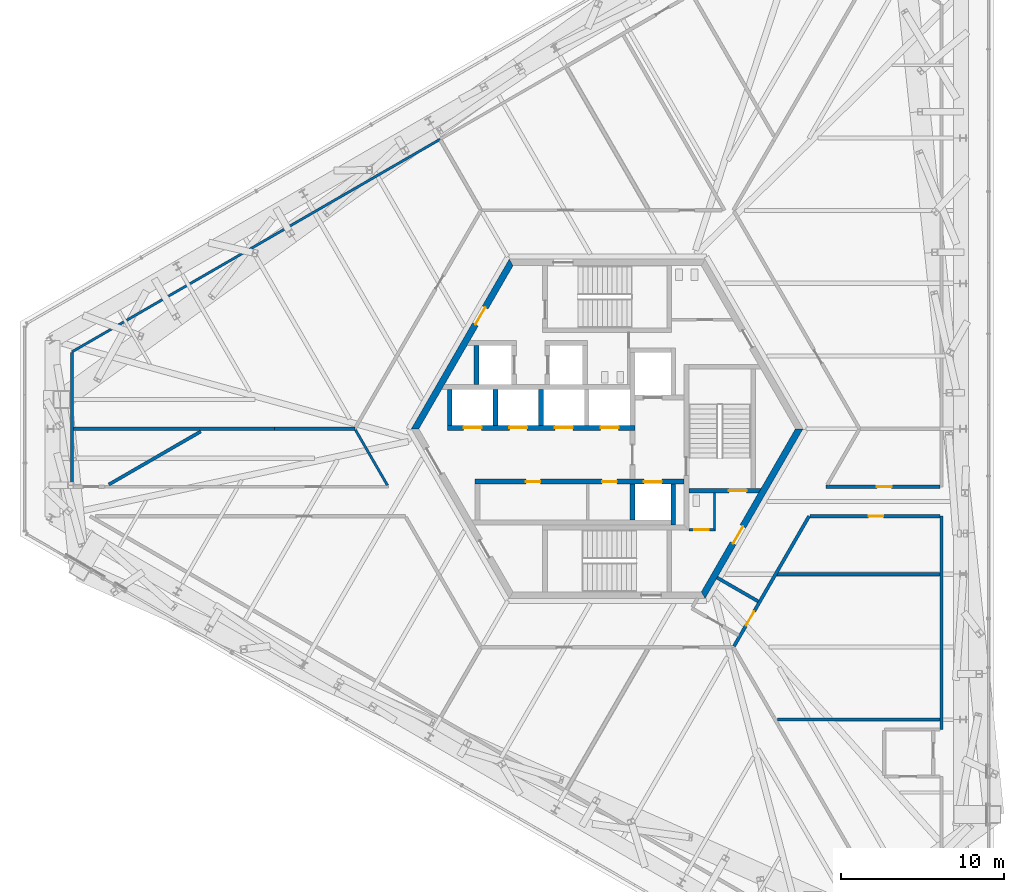
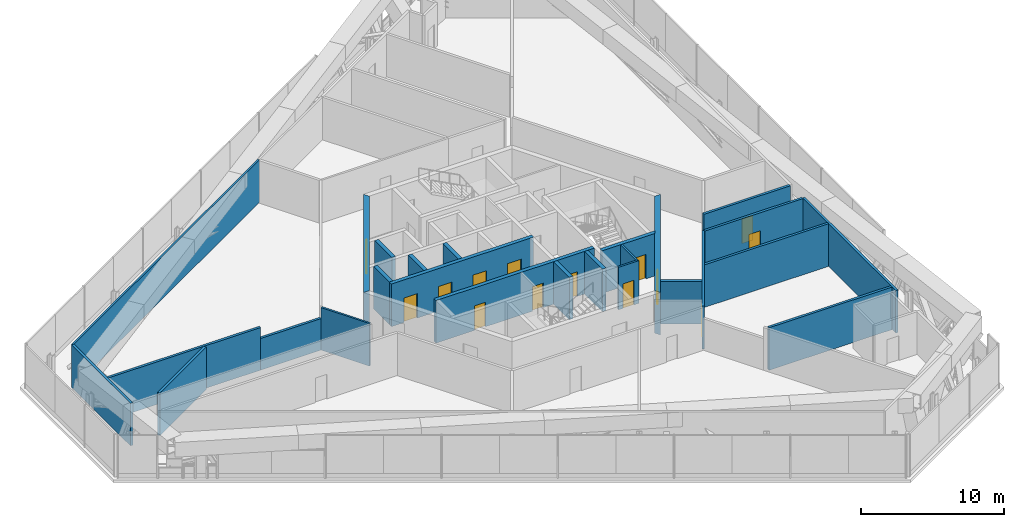
# One storey, part 15 of 23: 26 walls, 14 doors, 14 openings.
"""IFC4 building model written with IfcOpenShell, lengths in metres."""

from ifc_helpers import new_model, si_unit, direction, frame, frame_2d, origin, place, context, subcontext, project, spatial, polyline, rectangle, outline, extrude, source, transform, mapped, material, layer, layer_set, type_object, element, fill, save


model = new_model("IFC4")

# Units and contexts
model_context = context("Model", 3, precision=1e-05, world=origin(), true_north=direction((0.0, 1.0)))
body_context = subcontext(model_context, "Body", "Model", "MODEL_VIEW")
ifc_project = project(units=[si_unit("LENGTHUNIT", "METRE"), si_unit("AREAUNIT", "SQUARE_METRE"), si_unit("VOLUMEUNIT", "CUBIC_METRE"), si_unit("PLANEANGLEUNIT", "RADIAN"), si_unit("MASSUNIT", "GRAM", prefix="KILO")], contexts=[model_context])

# Site, building, storey
site_placement = place(None, origin())
site = spatial("IfcSite", under=ifc_project, at=site_placement, CompositionType="ELEMENT")
building_placement = place(site_placement, origin())
building = spatial("IfcBuilding", under=site, at=building_placement, Name="Triune Harvest Tower", CompositionType="ELEMENT")
storey_placement = place(building_placement, frame((0.0, 0.0, 54.699951171875)))
storey = spatial("IfcBuildingStorey", under=building, at=storey_placement, Name="L12", CompositionType="ELEMENT", Elevation=54.699951171875)

# Walls
ifc_material_1 = material(Name="Gypsum board on steel studs", Category="steel")
ifc_layer_1 = layer(ifc_material_1, 0.14990234375)
ifc_layer_set_1 = layer_set([ifc_layer_1], Name="Gypsum board on steel studs")
wall_type_1 = type_object("IfcWallType", Name="Fire Partition 150 mm", PredefinedType="PARTITIONING", material=ifc_layer_set_1)
wall_1_placement = place(storey_placement, frame((-15.42919921875, -0.060546875, 0.0), z_axis=(0.0, 0.0, 1.0), x_axis=(0.500025760003, -0.866010530729, 0.0)))
element("IfcWall", 1, at=wall_1_placement, inside=storey, type_object=wall_type_1, Name="Partition L12 001", PredefinedType="PARTITIONING", context=body_context, shape_type="SweptSolid", body=[
    extrude(rectangle(XDim=3.925048828125, YDim=0.14990234375, at=frame_2d((1.96240234375, 0.0))), origin(), (0.0, 0.0, 1.0), 3.64013671875),
])
wall_2_placement = place(storey_placement, frame((-32.79052734375, 4.71826171875, 0.0), z_axis=(0.0, 0.0, 1.0), x_axis=(0.86602431224, 0.500001890606, 0.0)))
element("IfcWall", 2, at=wall_2_placement, inside=storey, type_object=wall_type_1, Name="Partition L12 032", PredefinedType="PARTITIONING", context=body_context, shape_type="SweptSolid", body=[
    extrude(rectangle(XDim=26.04150390625, YDim=0.14990234375, at=frame_2d((13.020751953125, 0.0))), origin(), (0.0, 0.0, 1.0), 3.64013671875),
])
ifc_material_2 = material(Name="Gypsum board on steel studs", Category="steel")
ifc_layer_2 = layer(ifc_material_2, 0.199951171875)
ifc_layer_set_2 = layer_set([ifc_layer_2], Name="Gypsum board on steel studs")
wall_type_2 = type_object("IfcWallType", Name="Fire Wall 200 mm", PredefinedType="PARTITIONING", material=ifc_layer_set_2)
wall_3_placement = place(storey_placement, frame((10.31982421875, -8.909912109375, 0.0), z_axis=(0.0, 0.0, 1.0), x_axis=(1.0, 0.0, 0.0)))
element("IfcWall", 3, at=wall_3_placement, inside=storey, type_object=wall_type_2, Name="Partition L12 019", PredefinedType="PARTITIONING", context=body_context, shape_type="SweptSolid", body=[
    extrude(rectangle(XDim=10.08154296875, YDim=0.199951171875, at=frame_2d((5.040771484375, 0.0))), origin(), (0.0, 0.0, 1.0), 3.64013671875),
])

# Wall, opening, door
wall_4_placement = place(storey_placement, frame((12.4423828125, -5.35498046875, 0.0), z_axis=(0.0, 0.0, 1.0), x_axis=(1.0, 0.0, 0.0)))
wall_4 = element("IfcWall", 4, at=wall_4_placement, inside=storey, type_object=wall_type_2, Name="Partition L12 021", PredefinedType="PARTITIONING", context=body_context, shape_type="SweptSolid", body=[
    extrude(rectangle(XDim=7.958984375, YDim=0.199951171875, at=frame_2d((3.9794921875, 0.0))), origin(), (0.0, 0.0, 1.0), 3.64013671875),
])
opening_1_placement = place(wall_4_placement, frame((3.580078125, 0.0, 0.0)))
opening_1 = element("IfcOpeningElement", 5, at=opening_1_placement, cuts=wall_4, Name="Opening L12-003", PredefinedType="OPENING", context=body_context, shape_type="SweptSolid", body=[
    extrude(rectangle(XDim=0.89990234375, YDim=2.10009765625, at=frame_2d((0.449951171875, 1.050048828125))), frame((0.0, 0.10986328125, 0.0), z_axis=(0.0, -1.0, 0.0), x_axis=(1.0, 0.0, 0.0)), (0.0, 0.0, 1.0), 0.219970703125),
])
ifc_material_3 = material(Name="Timber and steel door set", Category="steel")
door_type_1 = type_object("IfcDoorType", Name="Single leaf door FD60 left hand 900 x 2100", OperationType="SINGLE_SWING_LEFT", PredefinedType="DOOR", material=ifc_material_3)
door_1_placement = place(opening_1_placement, origin())
door_1 = element("IfcDoor", 6, at=door_1_placement, inside=storey, type_object=door_type_1, Name="Door L12-003 Pump Room 12.03", OperationType="SINGLE_SWING_LEFT", OverallHeight=2.10009765625, OverallWidth=0.89990234375, PredefinedType="DOOR", context=body_context, shape_type="SweptSolid", body=[
    extrude(rectangle(XDim=0.89990234375, YDim=2.10009765625, at=frame_2d((0.449951171875, 1.050048828125))), frame((0.0, 0.02490234375, 0.0), z_axis=(0.0, -1.0, 0.0), x_axis=(1.0, 0.0, 0.0)), (0.0, 0.0, 1.0), 0.050048828125),
])
fill(opening_1, door_1)

wall_5_placement = place(storey_placement, frame((13.41162109375, -3.554931640625, 0.0), z_axis=(0.0, 0.0, 1.0), x_axis=(1.0, 0.0, 0.0)))
wall_5 = element("IfcWall", 7, at=wall_5_placement, inside=storey, type_object=wall_type_2, Name="Partition L12 024", PredefinedType="PARTITIONING", context=body_context, shape_type="SweptSolid", body=[
    extrude(rectangle(XDim=6.98974609375, YDim=0.199951171875, at=frame_2d((3.494873046875, 0.0))), origin(), (0.0, 0.0, 1.0), 3.64013671875),
])
opening_2_placement = place(wall_5_placement, frame((3.119873046875, 0.0, 0.0)))
opening_2 = element("IfcOpeningElement", 8, at=opening_2_placement, cuts=wall_5, Name="Opening L12-004", PredefinedType="OPENING", context=body_context, shape_type="SweptSolid", body=[
    extrude(rectangle(XDim=0.89990234375, YDim=2.10009765625, at=frame_2d((0.449951171875, 1.050048828125))), frame((0.0, 0.10986328125, 0.0), z_axis=(0.0, -1.0, 0.0), x_axis=(1.0, 0.0, 0.0)), (0.0, 0.0, 1.0), 0.219970703125),
])
ifc_material_4 = material(Name="Timber and steel door set", Category="steel")
door_type_2 = type_object("IfcDoorType", Name="Single leaf door FD60 right hand 900 x 2100", OperationType="SINGLE_SWING_RIGHT", PredefinedType="DOOR", material=ifc_material_4)
door_2_placement = place(opening_2_placement, origin())
door_2 = element("IfcDoor", 9, at=door_2_placement, inside=storey, type_object=door_type_2, Name="Door L12-004 Switch Room 12.04", OperationType="SINGLE_SWING_RIGHT", OverallHeight=2.10009765625, OverallWidth=0.89990234375, PredefinedType="DOOR", context=body_context, shape_type="SweptSolid", body=[
    extrude(rectangle(XDim=0.89990234375, YDim=2.10009765625, at=frame_2d((0.449951171875, 1.050048828125))), frame((0.0, 0.02490234375, 0.0), z_axis=(0.0, -1.0, 0.0), x_axis=(1.0, 0.0, 0.0)), (0.0, 0.0, 1.0), 0.050048828125),
])
fill(opening_2, door_2)

# Walls
wall_6_placement = place(storey_placement, frame((-32.79052734375, 0.0, 0.0), z_axis=(0.0, 0.0, 1.0), x_axis=(1.0, 0.0, 0.0)))
element("IfcWall", 10, at=wall_6_placement, inside=storey, type_object=wall_type_2, Name="Partition L12 025", PredefinedType="PARTITIONING", context=body_context, shape_type="SweptSolid", body=[
    extrude(rectangle(XDim=12.4189453125, YDim=0.199951171875, at=frame_2d((6.20947265625, 0.0))), origin(), (0.0, 0.0, 1.0), 3.64013671875),
])
wall_7_placement = place(storey_placement, frame((-20.37158203125, 0.0, 0.0), z_axis=(0.0, 0.0, 1.0), x_axis=(1.0, 0.0, 0.0)))
element("IfcWall", 11, at=wall_7_placement, inside=storey, type_object=wall_type_2, Name="Partition L12 025a", PredefinedType="PARTITIONING", context=body_context, shape_type="SweptSolid", body=[
    extrude(rectangle(XDim=4.907470703125, YDim=0.199951171875, at=frame_2d((2.45361328125, 0.0))), origin(), (0.0, 0.0, 1.0), 2.69775390625),
])
wall_8_placement = place(storey_placement, frame((-30.533203125, -3.4150390625, 0.0), z_axis=(0.0, 0.0, 1.0), x_axis=(0.866024837091, 0.50000098154, 0.0)))
element("IfcWall", 12, at=wall_8_placement, inside=storey, type_object=wall_type_2, Name="Partition L12 030", PredefinedType="PARTITIONING", context=body_context, shape_type="SweptSolid", body=[
    extrude(rectangle(XDim=6.5, YDim=0.199951171875, at=frame_2d((3.25, 0.0))), origin(), (0.0, 0.0, 1.0), 3.64013671875),
])
wall_9_placement = place(storey_placement, frame((20.4814453125, -18.419921875, 0.0), z_axis=(0.0, 0.0, 1.0), x_axis=(0.0, 1.0, 0.0)))
element("IfcWall", 13, at=wall_9_placement, inside=storey, type_object=wall_type_2, Name="Partition L12 044", PredefinedType="PARTITIONING", context=body_context, shape_type="SweptSolid", body=[
    extrude(rectangle(XDim=13.06494140625, YDim=0.199951171875, at=frame_2d((6.532470703125, 0.0))), origin(), (0.0, 0.0, 1.0), 3.64013671875),
])
wall_10_placement = place(storey_placement, frame((-32.79052734375, -3.554931640625, 0.0), z_axis=(0.0, 0.0, 1.0), x_axis=(0.0, 1.0, 0.0)))
element("IfcWall", 14, at=wall_10_placement, inside=storey, type_object=wall_type_2, Name="Partition L12 048", PredefinedType="PARTITIONING", context=body_context, shape_type="SweptSolid", body=[
    extrude(rectangle(XDim=8.233154296875, YDim=0.199951171875, at=frame_2d((4.11669921875, 0.0))), origin(), (0.0, 0.0, 1.0), 3.64013671875),
])

# Wall, opening, door
ifc_material_5 = material(Name="Concrete 70 MPa", Category="concrete")
ifc_layer_3 = layer(ifc_material_5, 0.39990234375)
ifc_layer_set_3 = layer_set([ifc_layer_3], Name="Concrete 70 MPa")
wall_type_3 = type_object("IfcWallType", Name="Core wall 400", PredefinedType="SHEAR", material=ifc_layer_set_3)
shared_shape_1 = source(origin(), body_context, "Body", "SweptSolid", [
    extrude(outline(polyline([(-0.115478515625, -0.199951171875), (11.884521484375, -0.199951171875), (11.653564453125, 0.199951171875), (0.115478515625, 0.199951171875), (-0.115478515625, -0.199951171875)])), origin(), (0.0, 0.0, 1.0), 3.64013671875),
])
wall_11_placement = place(storey_placement, frame((-5.884521484375, 10.1923828125, 0.0), z_axis=(0.0, 0.0, 1.0), x_axis=(-0.499996592174, -0.866027371285, 0.0)))
wall_11 = element("IfcWall", 15, at=wall_11_placement, inside=storey, type_object=wall_type_3, Name="Hexagon 2 wall", PredefinedType="SHEAR", context=body_context, shape_type="MappedRepresentation", body=[
    mapped(shared_shape_1, transform((0.0, 0.0, 0.0), scale=1.0)),
])
opening_3_placement = place(wall_11_placement, frame((3.1845703125, 0.0, 0.0)))
opening_3 = element("IfcOpeningElement", 16, at=opening_3_placement, cuts=wall_11, Name="Opening CD-SVP", PredefinedType="OPENING", context=body_context, shape_type="SweptSolid", body=[
    extrude(rectangle(XDim=1.199951171875, YDim=2.10009765625, at=frame_2d((0.60009765625, 1.050048828125))), frame((0.0, 0.2099609375, 0.0), z_axis=(0.0, -1.0, 0.0), x_axis=(1.0, 0.0, 0.0)), (0.0, 0.0, 1.0), 0.419921875),
])
ifc_material_6 = material(Name="Steel S235", Category="steel")
door_type_3 = type_object("IfcDoorType", Name="Service door 1200 FD120", OperationType="SINGLE_SWING_LEFT", PredefinedType="DOOR", material=ifc_material_6)
door_3_placement = place(opening_3_placement, frame((1.199951171875, 0.0, 0.0), z_axis=(0.0, 0.0, 1.0), x_axis=(-1.0, 0.0, 0.0)))
door_3 = element("IfcDoor", 17, at=door_3_placement, inside=storey, type_object=door_type_3, Name="Door CD-SVP", OperationType="SINGLE_SWING_RIGHT", OverallHeight=2.10009765625, OverallWidth=1.199951171875, PredefinedType="DOOR", context=body_context, shape_type="SweptSolid", body=[
    extrude(rectangle(XDim=1.199951171875, YDim=2.10009765625, at=frame_2d((0.60009765625, 1.050048828125))), frame((0.0, 0.02490234375, 0.0), z_axis=(0.0, -1.0, 0.0), x_axis=(1.0, 0.0, 0.0)), (0.0, 0.0, 1.0), 0.050048828125),
])
fill(opening_3, door_3)

wall_12_placement = place(storey_placement, frame((5.884521484375, -10.1923828125, 0.0), z_axis=(0.0, 0.0, 1.0), x_axis=(0.499996592174, 0.866027371285, 0.0)))
wall_12 = element("IfcWall", 18, at=wall_12_placement, inside=storey, type_object=wall_type_3, Name="Hexagon 5 wall", PredefinedType="SHEAR", context=body_context, shape_type="MappedRepresentation", body=[
    mapped(shared_shape_1, transform((0.0, 0.0, 0.0), scale=1.0)),
])
opening_4_placement = place(wall_12_placement, frame((3.66455078125, 0.0, 0.0)))
opening_4 = element("IfcOpeningElement", 19, at=opening_4_placement, cuts=wall_12, Name="Opening CD-DP", PredefinedType="OPENING", context=body_context, shape_type="SweptSolid", body=[
    extrude(rectangle(XDim=1.199951171875, YDim=2.10009765625, at=frame_2d((0.60009765625, 1.050048828125))), frame((0.0, 0.2099609375, 0.0), z_axis=(0.0, -1.0, 0.0), x_axis=(1.0, 0.0, 0.0)), (0.0, 0.0, 1.0), 0.419921875),
])
ifc_material_7 = material(Name="Steel S235", Category="steel")
door_type_4 = type_object("IfcDoorType", Name="Stair door 1200 FD120", OperationType="SINGLE_SWING_LEFT", PredefinedType="DOOR", material=ifc_material_7)
door_4_placement = place(opening_4_placement, frame((1.199951171875, 0.0, 0.0), z_axis=(0.0, 0.0, 1.0), x_axis=(-1.0, 0.0, 0.0)))
door_4 = element("IfcDoor", 20, at=door_4_placement, inside=storey, type_object=door_type_4, Name="Door CD-DP", OperationType="SINGLE_SWING_RIGHT", OverallHeight=2.10009765625, OverallWidth=1.199951171875, PredefinedType="DOOR", context=body_context, shape_type="SweptSolid", body=[
    extrude(rectangle(XDim=1.199951171875, YDim=2.10009765625, at=frame_2d((0.60009765625, 1.050048828125))), frame((0.0, 0.02490234375, 0.0), z_axis=(0.0, -1.0, 0.0), x_axis=(1.0, 0.0, 0.0)), (0.0, 0.0, 1.0), 0.050048828125),
])
fill(opening_4, door_4)

# Wall, openings, doors
ifc_material_8 = material(Name="Concrete 70 MPa", Category="concrete")
ifc_layer_4 = layer(ifc_material_8, 0.300048828125)
ifc_layer_set_4 = layer_set([ifc_layer_4], Name="Concrete 70 MPa")
wall_type_4 = type_object("IfcWallType", Name="Core wall 300", PredefinedType="SHEAR", material=ifc_layer_set_4)
shared_shape_2 = source(origin(), body_context, "Body", "SweptSolid", [
    extrude(rectangle(XDim=11.5, YDim=0.300048828125, at=frame_2d((5.75, 0.0))), origin(), (0.0, 0.0, 1.0), 3.64013671875),
])
wall_13_placement = place(storey_placement, frame((-9.800048828125, 0.06005859375, 0.0), z_axis=(0.0, 0.0, 1.0), x_axis=(1.0, 0.0, 0.0)))
wall_13 = element("IfcWall", 21, at=wall_13_placement, inside=storey, type_object=wall_type_4, Name="North front wall", PredefinedType="SHEAR", context=body_context, shape_type="MappedRepresentation", body=[
    mapped(shared_shape_2, transform((0.0, 0.0, 0.0), scale=1.0)),
])
opening_5_placement = place(wall_13_placement, frame((1.0, 0.0, 0.0)))
opening_5 = element("IfcOpeningElement", 22, at=opening_5_placement, cuts=wall_13, Name="Opening LD-LR1-12", PredefinedType="OPENING", context=body_context, shape_type="SweptSolid", body=[
    extrude(rectangle(XDim=1.10009765625, YDim=2.10009765625, at=frame_2d((0.550048828125, 1.050048828125))), frame((0.0, 0.16015625, 0.0), z_axis=(0.0, -1.0, 0.0), x_axis=(1.0, 0.0, 0.0)), (0.0, 0.0, 1.0), 0.320068359375),
])
opening_6_placement = place(wall_13_placement, frame((3.800048828125, 0.0, 0.0)))
opening_6 = element("IfcOpeningElement", 23, at=opening_6_placement, cuts=wall_13, Name="Opening LD-LR2-12", PredefinedType="OPENING", context=body_context, shape_type="SweptSolid", body=[
    extrude(rectangle(XDim=1.10009765625, YDim=2.10009765625, at=frame_2d((0.550048828125, 1.050048828125))), frame((0.0, 0.16015625, 0.0), z_axis=(0.0, -1.0, 0.0), x_axis=(1.0, 0.0, 0.0)), (0.0, 0.0, 1.0), 0.320068359375),
])
opening_7_placement = place(wall_13_placement, frame((6.60009765625, 0.0, 0.0)))
opening_7 = element("IfcOpeningElement", 24, at=opening_7_placement, cuts=wall_13, Name="Opening LD-LR3-12", PredefinedType="OPENING", context=body_context, shape_type="SweptSolid", body=[
    extrude(rectangle(XDim=1.10009765625, YDim=2.10009765625, at=frame_2d((0.550048828125, 1.050048828125))), frame((0.0, 0.16015625, 0.0), z_axis=(0.0, -1.0, 0.0), x_axis=(1.0, 0.0, 0.0)), (0.0, 0.0, 1.0), 0.320068359375),
])
opening_8_placement = place(wall_13_placement, frame((9.39990234375, 0.0, 0.0)))
opening_8 = element("IfcOpeningElement", 25, at=opening_8_placement, cuts=wall_13, Name="Opening LD-LR4-12", PredefinedType="OPENING", context=body_context, shape_type="SweptSolid", body=[
    extrude(rectangle(XDim=1.10009765625, YDim=2.10009765625, at=frame_2d((0.550048828125, 1.050048828125))), frame((0.0, 0.16015625, 0.0), z_axis=(0.0, -1.0, 0.0), x_axis=(1.0, 0.0, 0.0)), (0.0, 0.0, 1.0), 0.320068359375),
])
ifc_material_9 = material(Name="Stainless steel AISI 304", Category="steel")
door_type_5 = type_object("IfcDoorType", Name="Landing door 1100 x 2100", OperationType="DOUBLE_DOOR_SLIDING", PredefinedType="DOOR", material=ifc_material_9)
door_5_placement = place(opening_5_placement, origin())
door_5 = element("IfcDoor", 26, at=door_5_placement, inside=storey, type_object=door_type_5, Name="Door LD-LR1-12", OperationType="DOUBLE_DOOR_SLIDING", OverallHeight=2.10009765625, OverallWidth=1.10009765625, PredefinedType="DOOR", context=body_context, shape_type="SweptSolid", body=[
    extrude(rectangle(XDim=1.10009765625, YDim=2.10009765625, at=frame_2d((0.550048828125, 1.050048828125))), frame((0.0, 0.02490234375, 0.0), z_axis=(0.0, -1.0, 0.0), x_axis=(1.0, 0.0, 0.0)), (0.0, 0.0, 1.0), 0.050048828125),
])
fill(opening_5, door_5)
door_6_placement = place(opening_6_placement, origin())
door_6 = element("IfcDoor", 27, at=door_6_placement, inside=storey, type_object=door_type_5, Name="Door LD-LR2-12", OperationType="DOUBLE_DOOR_SLIDING", OverallHeight=2.10009765625, OverallWidth=1.10009765625, PredefinedType="DOOR", context=body_context, shape_type="SweptSolid", body=[
    extrude(rectangle(XDim=1.10009765625, YDim=2.10009765625, at=frame_2d((0.550048828125, 1.050048828125))), frame((0.0, 0.02490234375, 0.0), z_axis=(0.0, -1.0, 0.0), x_axis=(1.0, 0.0, 0.0)), (0.0, 0.0, 1.0), 0.050048828125),
])
fill(opening_6, door_6)
door_7_placement = place(opening_7_placement, origin())
door_7 = element("IfcDoor", 28, at=door_7_placement, inside=storey, type_object=door_type_5, Name="Door LD-LR3-12", OperationType="DOUBLE_DOOR_SLIDING", OverallHeight=2.10009765625, OverallWidth=1.10009765625, PredefinedType="DOOR", context=body_context, shape_type="SweptSolid", body=[
    extrude(rectangle(XDim=1.10009765625, YDim=2.10009765625, at=frame_2d((0.550048828125, 1.050048828125))), frame((0.0, 0.02490234375, 0.0), z_axis=(0.0, -1.0, 0.0), x_axis=(1.0, 0.0, 0.0)), (0.0, 0.0, 1.0), 0.050048828125),
])
fill(opening_7, door_7)
door_8_placement = place(opening_8_placement, origin())
door_8 = element("IfcDoor", 29, at=door_8_placement, inside=storey, type_object=door_type_5, Name="Door LD-LR4-12", OperationType="DOUBLE_DOOR_SLIDING", OverallHeight=2.10009765625, OverallWidth=1.10009765625, PredefinedType="DOOR", context=body_context, shape_type="SweptSolid", body=[
    extrude(rectangle(XDim=1.10009765625, YDim=2.10009765625, at=frame_2d((0.550048828125, 1.050048828125))), frame((0.0, 0.02490234375, 0.0), z_axis=(0.0, -1.0, 0.0), x_axis=(1.0, 0.0, 0.0)), (0.0, 0.0, 1.0), 0.050048828125),
])
fill(opening_8, door_8)

# Wall
shared_shape_3 = source(origin(), body_context, "Body", "SweptSolid", [
    extrude(rectangle(XDim=2.5, YDim=0.300048828125, at=frame_2d((1.25, 0.0))), origin(), (0.0, 0.0, 1.0), 3.64013671875),
])
wall_14_placement = place(storey_placement, frame((4.050048828125, -5.889892578125, 0.0), z_axis=(0.0, 0.0, 1.0), x_axis=(0.0, 1.0, 0.0)))
element("IfcWall", 30, at=wall_14_placement, inside=storey, type_object=wall_type_4, Name="Ff2 east wall", PredefinedType="SHEAR", context=body_context, shape_type="MappedRepresentation", body=[
    mapped(shared_shape_3, transform((0.0, 0.0, 0.0), scale=1.0)),
])

# Wall, openings, doors
shared_shape_4 = source(origin(), body_context, "Body", "SweptSolid", [
    extrude(rectangle(XDim=12.800048828125, YDim=0.300048828125, at=frame_2d((6.39990234375, 0.0))), origin(), (0.0, 0.0, 1.0), 3.64013671875),
])
wall_15_placement = place(storey_placement, frame((-8.10009765625, -3.239990234375, 0.0), z_axis=(0.0, 0.0, 1.0), x_axis=(1.0, 0.0, 0.0)))
wall_15 = element("IfcWall", 31, at=wall_15_placement, inside=storey, type_object=wall_type_4, Name="South front wall", PredefinedType="SHEAR", context=body_context, shape_type="MappedRepresentation", body=[
    mapped(shared_shape_4, transform((0.0, 0.0, 0.0), scale=1.0)),
])
opening_9_placement = place(wall_15_placement, frame((3.112548828125, 0.0, 0.0)))
opening_9 = element("IfcOpeningElement", 32, at=opening_9_placement, cuts=wall_15, Name="Opening CD-RS1", PredefinedType="OPENING", context=body_context, shape_type="SweptSolid", body=[
    extrude(rectangle(XDim=0.89990234375, YDim=2.10009765625, at=frame_2d((0.449951171875, 1.050048828125))), frame((0.0, 0.16015625, 0.0), z_axis=(0.0, -1.0, 0.0), x_axis=(1.0, 0.0, 0.0)), (0.0, 0.0, 1.0), 0.320068359375),
])
opening_10_placement = place(wall_15_placement, frame((7.78759765625, 0.0, 0.0)))
opening_10 = element("IfcOpeningElement", 33, at=opening_10_placement, cuts=wall_15, Name="Opening CD-RS2", PredefinedType="OPENING", context=body_context, shape_type="SweptSolid", body=[
    extrude(rectangle(XDim=0.89990234375, YDim=2.10009765625, at=frame_2d((0.449951171875, 1.050048828125))), frame((0.0, 0.16015625, 0.0), z_axis=(0.0, -1.0, 0.0), x_axis=(1.0, 0.0, 0.0)), (0.0, 0.0, 1.0), 0.320068359375),
])
opening_11_placement = place(wall_15_placement, frame((10.35009765625, 0.0, 0.0)))
opening_11 = element("IfcOpeningElement", 34, at=opening_11_placement, cuts=wall_15, Name="Opening LD-FF2-12", PredefinedType="OPENING", context=body_context, shape_type="SweptSolid", body=[
    extrude(rectangle(XDim=1.10009765625, YDim=2.10009765625, at=frame_2d((0.550048828125, 1.050048828125))), frame((0.0, 0.16015625, 0.0), z_axis=(0.0, -1.0, 0.0), x_axis=(1.0, 0.0, 0.0)), (0.0, 0.0, 1.0), 0.320068359375),
])
door_9_placement = place(opening_11_placement, origin())
door_9 = element("IfcDoor", 35, at=door_9_placement, inside=storey, type_object=door_type_5, Name="Door LD-FF2-12", OperationType="DOUBLE_DOOR_SLIDING", OverallHeight=2.10009765625, OverallWidth=1.10009765625, PredefinedType="DOOR", context=body_context, shape_type="SweptSolid", body=[
    extrude(rectangle(XDim=1.10009765625, YDim=2.10009765625, at=frame_2d((0.550048828125, 1.050048828125))), frame((0.0, 0.02490234375, 0.0), z_axis=(0.0, -1.0, 0.0), x_axis=(1.0, 0.0, 0.0)), (0.0, 0.0, 1.0), 0.050048828125),
])
fill(opening_11, door_9)
ifc_material_10 = material(Name="Steel S235", Category="steel")
door_type_6 = type_object("IfcDoorType", Name="Riser door 900 FD120", OperationType="SINGLE_SWING_LEFT", PredefinedType="DOOR", material=ifc_material_10)
door_10_placement = place(opening_9_placement, origin())
door_10 = element("IfcDoor", 36, at=door_10_placement, inside=storey, type_object=door_type_6, Name="Door CD-RS1", OperationType="SINGLE_SWING_LEFT", OverallHeight=2.10009765625, OverallWidth=0.89990234375, PredefinedType="DOOR", context=body_context, shape_type="SweptSolid", body=[
    extrude(rectangle(XDim=0.89990234375, YDim=2.10009765625, at=frame_2d((0.449951171875, 1.050048828125))), frame((0.0, 0.02490234375, 0.0), z_axis=(0.0, -1.0, 0.0), x_axis=(1.0, 0.0, 0.0)), (0.0, 0.0, 1.0), 0.050048828125),
])
fill(opening_9, door_10)
door_11_placement = place(opening_10_placement, origin())
door_11 = element("IfcDoor", 37, at=door_11_placement, inside=storey, type_object=door_type_6, Name="Door CD-RS2", OperationType="SINGLE_SWING_LEFT", OverallHeight=2.10009765625, OverallWidth=0.89990234375, PredefinedType="DOOR", context=body_context, shape_type="SweptSolid", body=[
    extrude(rectangle(XDim=0.89990234375, YDim=2.10009765625, at=frame_2d((0.449951171875, 1.050048828125))), frame((0.0, 0.02490234375, 0.0), z_axis=(0.0, -1.0, 0.0), x_axis=(1.0, 0.0, 0.0)), (0.0, 0.0, 1.0), 0.050048828125),
])
fill(opening_10, door_11)

# Walls
shared_shape_5 = source(origin(), body_context, "Body", "SweptSolid", [
    extrude(rectangle(XDim=2.2001953125, YDim=0.300048828125, at=frame_2d((1.10009765625, 0.0))), origin(), (0.0, 0.0, 1.0), 3.64013671875),
])
wall_16_placement = place(storey_placement, frame((1.550048828125, -5.590087890625, 0.0), z_axis=(0.0, 0.0, 1.0), x_axis=(0.0, 1.0, 0.0)))
element("IfcWall", 38, at=wall_16_placement, inside=storey, type_object=wall_type_4, Name="Ff2 west wall", PredefinedType="SHEAR", context=body_context, shape_type="MappedRepresentation", body=[
    mapped(shared_shape_5, transform((0.0, 0.0, 0.0), scale=1.0)),
])
shared_shape_6 = source(origin(), body_context, "Body", "SweptSolid", [
    extrude(rectangle(XDim=2.199951171875, YDim=0.300048828125, at=frame_2d((1.10009765625, 0.0))), origin(), (0.0, 0.0, 1.0), 3.64013671875),
])
for number, where, z_axis, x_axis, name in (
    (39, (-9.64990234375, 0.2099609375, 0.0), (0.0, 0.0, 1.0), (0.0, 1.0, 0.0), "North end west wall"),
    (40, (-6.85009765625, 0.2099609375, 0.0), (0.0, 0.0, 1.0), (0.0, 1.0, 0.0), "North cross 1 wall"),
    (41, (-4.050048828125, 0.2099609375, 0.0), (0.0, 0.0, 1.0), (0.0, 1.0, 0.0), "North cross 2 wall"),
):
    element("IfcWall", number, at=place(storey_placement, frame(where, z_axis=z_axis, x_axis=x_axis)), inside=storey, type_object=wall_type_4, Name=name, PredefinedType="SHEAR", context=body_context, shape_type="MappedRepresentation", body=[
        mapped(shared_shape_6, transform((0.0, 0.0, 0.0), scale=1.0)),
    ])

# Wall, opening, door
shared_shape_7 = source(origin(), body_context, "Body", "SweptSolid", [
    extrude(outline(polyline([(0.0, -0.14990234375), (0.0, 0.14990234375), (4.43310546875, 0.14990234375), (4.260009765625, -0.14990234375), (0.0, -0.14990234375)])), origin(), (0.0, 0.0, 1.0), 3.64013671875),
])
wall_17_placement = place(storey_placement, frame((5.0, -3.800048828125, 0.0), z_axis=(0.0, 0.0, 1.0), x_axis=(1.0, 0.0, 0.0)))
wall_17 = element("IfcWall", 42, at=wall_17_placement, inside=storey, type_object=wall_type_4, Name="Stair e south wall", PredefinedType="SHEAR", context=body_context, shape_type="MappedRepresentation", body=[
    mapped(shared_shape_7, transform((0.0, 0.0, 0.0), scale=1.0)),
])
opening_12_placement = place(wall_17_placement, frame((2.449951171875, 0.0, 0.0)))
opening_12 = element("IfcOpeningElement", 43, at=opening_12_placement, cuts=wall_17, Name="Opening CD-S3D", PredefinedType="OPENING", context=body_context, shape_type="SweptSolid", body=[
    extrude(rectangle(XDim=1.10009765625, YDim=2.10009765625, at=frame_2d((0.550048828125, 1.050048828125))), frame((0.0, 0.16015625, 0.0), z_axis=(0.0, -1.0, 0.0), x_axis=(1.0, 0.0, 0.0)), (0.0, 0.0, 1.0), 0.320068359375),
])
ifc_material_11 = material(Name="Steel S235", Category="steel")
door_type_7 = type_object("IfcDoorType", Name="Stair door 1100 FD120", OperationType="SINGLE_SWING_LEFT", PredefinedType="DOOR", material=ifc_material_11)
door_12_placement = place(opening_12_placement, frame((1.10009765625, 0.0, 0.0), z_axis=(0.0, 0.0, 1.0), x_axis=(-1.0, 0.0, 0.0)))
door_12 = element("IfcDoor", 44, at=door_12_placement, inside=storey, type_object=door_type_7, Name="Door CD-S3D", OperationType="SINGLE_SWING_RIGHT", OverallHeight=2.10009765625, OverallWidth=1.10009765625, PredefinedType="DOOR", context=body_context, shape_type="SweptSolid", body=[
    extrude(rectangle(XDim=1.10009765625, YDim=2.10009765625, at=frame_2d((0.550048828125, 1.050048828125))), frame((0.0, 0.02490234375, 0.0), z_axis=(0.0, -1.0, 0.0), x_axis=(1.0, 0.0, 0.0)), (0.0, 0.0, 1.0), 0.050048828125),
])
fill(opening_12, door_12)

# Wall
shared_shape_8 = source(origin(), body_context, "Body", "SweptSolid", [
    extrude(rectangle(XDim=2.400146484375, YDim=0.300048828125, at=frame_2d((1.2001953125, 0.0))), origin(), (0.0, 0.0, 1.0), 3.64013671875),
])
wall_18_placement = place(storey_placement, frame((-8.0, 2.7099609375, 0.0), z_axis=(0.0, 0.0, 1.0), x_axis=(0.0, 1.0, 0.0)))
element("IfcWall", 45, at=wall_18_placement, inside=storey, type_object=wall_type_4, Name="Sv1 west wall", PredefinedType="SHEAR", context=body_context, shape_type="MappedRepresentation", body=[
    mapped(shared_shape_8, transform((0.0, 0.0, 0.0), scale=1.0)),
])

# Wall, opening, door
ifc_material_12 = material(Name="Concrete masonry unit", Category="masonry")
ifc_layer_5 = layer(ifc_material_12, 0.14990234375)
ifc_layer_set_5 = layer_set([ifc_layer_5], Name="Concrete masonry unit")
wall_type_5 = type_object("IfcWallType", Name="Block partition 150 unrated", PredefinedType="PARTITIONING", material=ifc_layer_set_5)
shared_shape_9 = source(origin(), body_context, "Body", "SweptSolid", [
    extrude(outline(polyline([(0.0, -0.074951171875), (1.64990234375, -0.074951171875), (1.5, 0.074951171875), (0.0, 0.074951171875), (0.0, -0.074951171875)])), origin(), (0.0, 0.0, 1.0), 3.64013671875),
])
wall_19_placement = place(storey_placement, frame((5.0, -6.18994140625, 0.0), z_axis=(0.0, 0.0, 1.0), x_axis=(1.0, 0.0, 0.0)))
wall_19 = element("IfcWall", 46, at=wall_19_placement, inside=storey, type_object=wall_type_5, Name="Wc acc south wall", PredefinedType="PARTITIONING", context=body_context, shape_type="MappedRepresentation", body=[
    mapped(shared_shape_9, transform((0.0, 0.0, 0.0), scale=1.0)),
])
opening_13_placement = place(wall_19_placement, frame((0.33740234375, 0.0, 0.0)))
opening_13 = element("IfcOpeningElement", 47, at=opening_13_placement, cuts=wall_19, Name="Opening CD-WA", PredefinedType="OPENING", context=body_context, shape_type="SweptSolid", body=[
    extrude(rectangle(XDim=0.89990234375, YDim=2.10009765625, at=frame_2d((0.449951171875, 1.050048828125))), frame((0.0, 0.0849609375, 0.0), z_axis=(0.0, -1.0, 0.0), x_axis=(1.0, 0.0, 0.0)), (0.0, 0.0, 1.0), 0.169921875),
])
ifc_material_13 = material(Name="Timber C24", Category="wood")
door_type_8 = type_object("IfcDoorType", Name="WC door 900", OperationType="SINGLE_SWING_LEFT", PredefinedType="DOOR", material=ifc_material_13)
door_13_placement = place(opening_13_placement, origin())
door_13 = element("IfcDoor", 48, at=door_13_placement, inside=storey, type_object=door_type_8, Name="Door CD-WA", OperationType="SINGLE_SWING_LEFT", OverallHeight=2.10009765625, OverallWidth=0.89990234375, PredefinedType="DOOR", context=body_context, shape_type="SweptSolid", body=[
    extrude(rectangle(XDim=0.89990234375, YDim=2.10009765625, at=frame_2d((0.449951171875, 1.050048828125))), frame((0.0, 0.02490234375, 0.0), z_axis=(0.0, -1.0, 0.0), x_axis=(1.0, 0.0, 0.0)), (0.0, 0.0, 1.0), 0.050048828125),
])
fill(opening_13, door_13)

# Walls
shared_shape_10 = source(origin(), body_context, "Body", "SweptSolid", [
    extrude(outline(polyline([(-0.074951171875, -0.074951171875), (2.239990234375, -0.074951171875), (2.239990234375, 0.074951171875), (0.074951171875, 0.074951171875), (-0.074951171875, -0.074951171875)])), origin(), (0.0, 0.0, 1.0), 3.64013671875),
])
wall_20_placement = place(storey_placement, frame((6.574951171875, -6.18994140625, 0.0), z_axis=(0.0, 0.0, 1.0), x_axis=(0.0, 1.0, 0.0)))
element("IfcWall", 49, at=wall_20_placement, inside=storey, type_object=wall_type_5, Name="Wc acc east wall", PredefinedType="PARTITIONING", context=body_context, shape_type="MappedRepresentation", body=[
    mapped(shared_shape_10, transform((0.0, 0.0, 0.0), scale=1.0)),
])
shared_shape_11 = source(origin(), body_context, "Body", "SweptSolid", [
    extrude(rectangle(XDim=9.962890625, YDim=0.199951171875, at=frame_2d((4.9814453125, 0.0))), origin(), (0.0, 0.0, 1.0), 3.64013671875),
])
wall_21_placement = place(storey_placement, frame((10.4384765625, -17.820068359375, 0.0), z_axis=(0.0, 0.0, 1.0), x_axis=(1.0, 0.0, 0.0)))
element("IfcWall", 50, at=wall_21_placement, inside=storey, type_object=wall_type_2, Name="Partition L12 017", PredefinedType="PARTITIONING", context=body_context, shape_type="MappedRepresentation", body=[
    mapped(shared_shape_11, transform((0.0, 0.0, 0.0), scale=1.0)),
])
shared_shape_12 = source(origin(), body_context, "Body", "SweptSolid", [
    extrude(rectangle(XDim=2.919921875, YDim=0.199951171875, at=frame_2d((1.4599609375, 0.0))), origin(), (0.0, 0.0, 1.0), 3.64013671875),
])
wall_22_placement = place(storey_placement, frame((6.73388671875, -9.12109375, 0.0), z_axis=(0.0, 0.0, 1.0), x_axis=(0.866032430508, -0.49998782916, 0.0)))
element("IfcWall", 51, at=wall_22_placement, inside=storey, type_object=wall_type_2, Name="Partition L12 013", PredefinedType="PARTITIONING", context=body_context, shape_type="MappedRepresentation", body=[
    mapped(shared_shape_12, transform((0.0, 0.0, 0.0), scale=1.0)),
])

# Wall, opening, door
shared_shape_13 = source(origin(), body_context, "Body", "SweptSolid", [
    extrude(rectangle(XDim=9.21044921875, YDim=0.199951171875, at=frame_2d((4.605224609375, 0.0))), origin(), (0.0, 0.0, 1.0), 3.64013671875),
])
wall_23_placement = place(storey_placement, frame((7.76708984375, -13.33154296875, 0.0), z_axis=(0.0, 0.0, 1.0), x_axis=(0.499996262648, 0.866027561535, 0.0)))
wall_23 = element("IfcWall", 52, at=wall_23_placement, inside=storey, type_object=wall_type_2, Name="Partition L12 036", PredefinedType="PARTITIONING", context=body_context, shape_type="MappedRepresentation", body=[
    mapped(shared_shape_13, transform((0.0, 0.0, 0.0), scale=1.0)),
])
opening_14_placement = place(wall_23_placement, frame((1.469970703125, 0.0, 0.0)))
opening_14 = element("IfcOpeningElement", 53, at=opening_14_placement, cuts=wall_23, Name="Opening L12-002", PredefinedType="OPENING", context=body_context, shape_type="SweptSolid", body=[
    extrude(rectangle(XDim=1.0, YDim=2.10009765625, at=frame_2d((0.5, 1.050048828125))), frame((0.0, 0.10986328125, 0.0), z_axis=(0.0, -1.0, 0.0), x_axis=(1.0, 0.0, 0.0)), (0.0, 0.0, 1.0), 0.219970703125),
])
ifc_material_14 = material(Name="Timber and steel door set", Category="steel")
door_type_9 = type_object("IfcDoorType", Name="Wide single leaf door FD60 right hand 1000 x 2100", OperationType="SINGLE_SWING_RIGHT", PredefinedType="DOOR", material=ifc_material_14)
door_14_placement = place(opening_14_placement, origin())
door_14 = element("IfcDoor", 54, at=door_14_placement, inside=storey, type_object=door_type_9, Name="Door L12-002 Refuge Area 12.02", OperationType="SINGLE_SWING_RIGHT", OverallHeight=2.10009765625, OverallWidth=1.0, PredefinedType="DOOR", context=body_context, shape_type="SweptSolid", body=[
    extrude(rectangle(XDim=1.0, YDim=2.10009765625, at=frame_2d((0.5, 1.050048828125))), frame((0.0, 0.02490234375, 0.0), z_axis=(0.0, -1.0, 0.0), x_axis=(1.0, 0.0, 0.0)), (0.0, 0.0, 1.0), 0.050048828125),
])
fill(opening_14, door_14)

save(model, "model.ifc")
